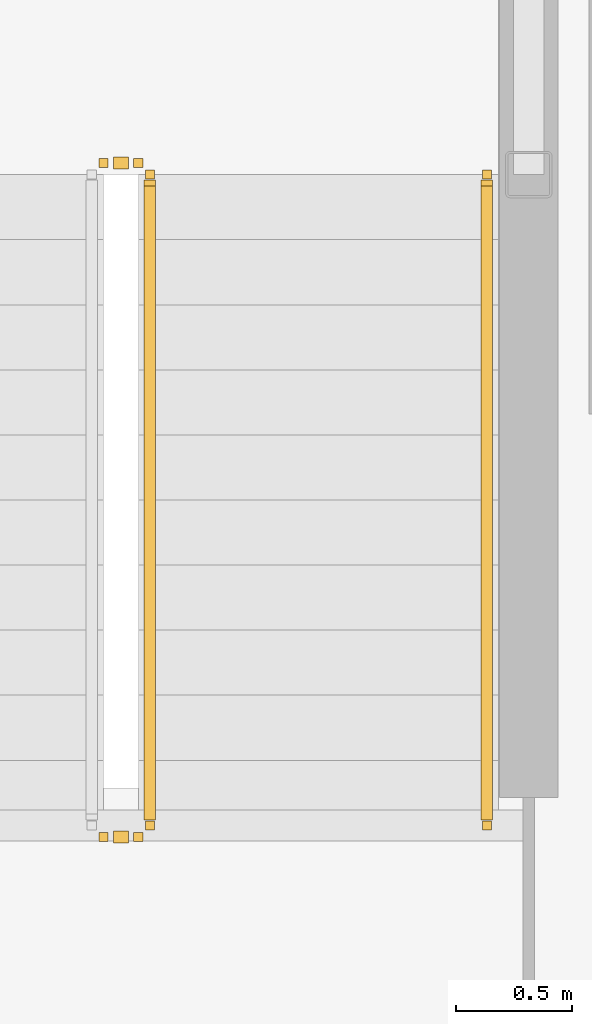
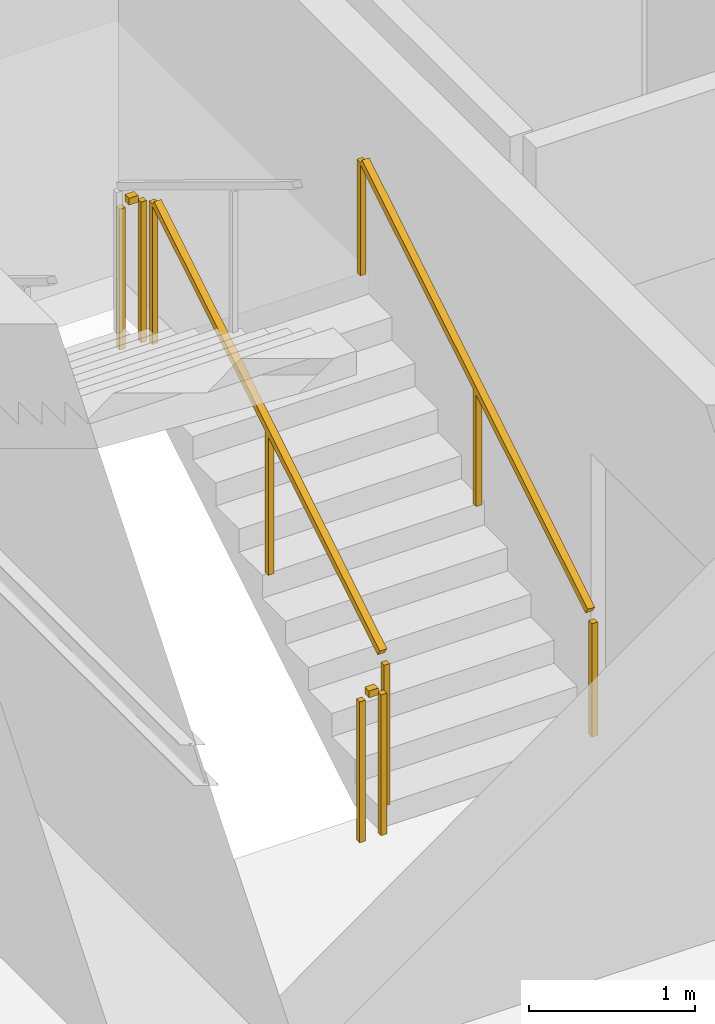
# One storey, part 26 of 31: 4 railings.
"""IFC4 building model written with IfcOpenShell, lengths in metres."""

from ifc_helpers import new_model, si_unit, direction, frame, origin, origin_2d, place, context, subcontext, project, spatial, rectangle, extrude, material, type_object, element, save


model = new_model("IFC4")

# Units and contexts
model_context = context("Model", 3, precision=1e-05, world=origin(), true_north=direction((0.0, 1.0)))
body_context = subcontext(model_context, "Body", "Model", "MODEL_VIEW")
ifc_project = project(units=[si_unit("LENGTHUNIT", "METRE"), si_unit("AREAUNIT", "SQUARE_METRE"), si_unit("VOLUMEUNIT", "CUBIC_METRE"), si_unit("PLANEANGLEUNIT", "RADIAN"), si_unit("MASSUNIT", "GRAM", prefix="KILO")], contexts=[model_context])

# Site, building, storey
site_placement = place(None, origin())
site = spatial("IfcSite", under=ifc_project, at=site_placement, CompositionType="ELEMENT")
building_placement = place(site_placement, origin())
building = spatial("IfcBuilding", under=site, at=building_placement, Name="Kazma Halo Residences", CompositionType="ELEMENT")
storey_placement = place(building_placement, frame((0.0, 0.0, 67.64990234375)))
storey = spatial("IfcBuildingStorey", under=building, at=storey_placement, Name="L16", CompositionType="ELEMENT", Elevation=67.64990234375)

# Railings
ifc_material_1 = material(Name="Painted Steel S355", Category="steel")
railing_type_1 = type_object("IfcRailingType", Name="RLG-STAIR-GRD-1100", PredefinedType="GUARDRAIL", material=ifc_material_1)
railing_1_placement = place(storey_placement, frame((39.550048828125, 39.949951171875, 0.170654296875)))
element("IfcRailing", 1, at=railing_1_placement, inside=storey, type_object=railing_type_1, Name="L16 ST-01 stair guard 1", PredefinedType="GUARDRAIL", context=body_context, shape_type="SweptSolid", body=[
    extrude(rectangle(XDim=0.050048828125, YDim=0.050048828125, at=origin_2d()), frame((0.0, 0.036376953125, 1.09716796875), z_axis=(0.0, 0.854202870247, 0.519939858505), x_axis=(-1.0, 0.0, 0.0)), (0.0, 0.0, 1.0), 3.19287109375),
    extrude(rectangle(XDim=0.0400390625, YDim=0.0400390625, at=origin_2d()), origin(), (0.0, 0.0, 1.0), 1.0380859375),
    extrude(rectangle(XDim=0.0400390625, YDim=0.0400390625, at=origin_2d()), frame((0.0, 1.39990234375, 0.85205078125)), (0.0, 0.0, 1.0), 1.0380859375),
    extrude(rectangle(XDim=0.0400390625, YDim=0.0400390625, at=origin_2d()), frame((0.0, 2.800048828125, 1.704345703125)), (0.0, 0.0, 1.0), 1.0380859375),
])
for number, where, name in (
    (2, (39.5, 42.800048828125, 1.875), "L16 ST-01 stair guard 2"),
    (3, (39.5, 39.89990234375, 0.0), "L16 ST-01 stair guard 4"),
):
    element("IfcRailing", number, at=place(storey_placement, frame(where)), inside=storey, type_object=railing_type_1, Name=name, PredefinedType="GUARDRAIL", context=body_context, shape_type="SweptSolid", body=[
        extrude(rectangle(XDim=0.050048828125, YDim=0.050048828125, at=origin_2d()), frame((-0.04248046875, 0.0, 1.0751953125), z_axis=(-1.0, 0.0, 0.0), x_axis=(0.0, -1.0, 0.0)), (0.0, 0.0, 1.0), 0.06494140625),
        extrude(rectangle(XDim=0.0400390625, YDim=0.0400390625, at=origin_2d()), origin(), (0.0, 0.0, 1.0), 1.0380859375),
        extrude(rectangle(XDim=0.0400390625, YDim=0.0400390625, at=origin_2d()), frame((-0.14990234375, 0.0, 0.0)), (0.0, 0.0, 1.0), 1.0380859375),
    ])
ifc_material_2 = material(Name="Brushed Stainless Steel", Category="steel")
railing_type_2 = type_object("IfcRailingType", Name="RLG-STAIR-HND-900", PredefinedType="HANDRAIL", material=ifc_material_2)
railing_2_placement = place(storey_placement, frame((41.0, 39.949951171875, 0.170654296875)))
element("IfcRailing", 4, at=railing_2_placement, inside=storey, type_object=railing_type_2, Name="L16 ST-01 stair handrail 1", PredefinedType="HANDRAIL", context=body_context, shape_type="SweptSolid", body=[
    extrude(rectangle(XDim=0.050048828125, YDim=0.050048828125, at=origin_2d()), frame((0.0, 0.036376953125, 0.89697265625), z_axis=(0.0, 0.854202870247, 0.519939858505), x_axis=(-1.0, 0.0, 0.0)), (0.0, 0.0, 1.0), 3.19287109375),
    extrude(rectangle(XDim=0.0400390625, YDim=0.0400390625, at=origin_2d()), origin(), (0.0, 0.0, 1.0), 0.837890625),
    extrude(rectangle(XDim=0.0400390625, YDim=0.0400390625, at=origin_2d()), frame((0.0, 1.39990234375, 0.85205078125)), (0.0, 0.0, 1.0), 0.837890625),
    extrude(rectangle(XDim=0.0400390625, YDim=0.0400390625, at=origin_2d()), frame((0.0, 2.800048828125, 1.704345703125)), (0.0, 0.0, 1.0), 0.837890625),
])

save(model, "model.ifc")
